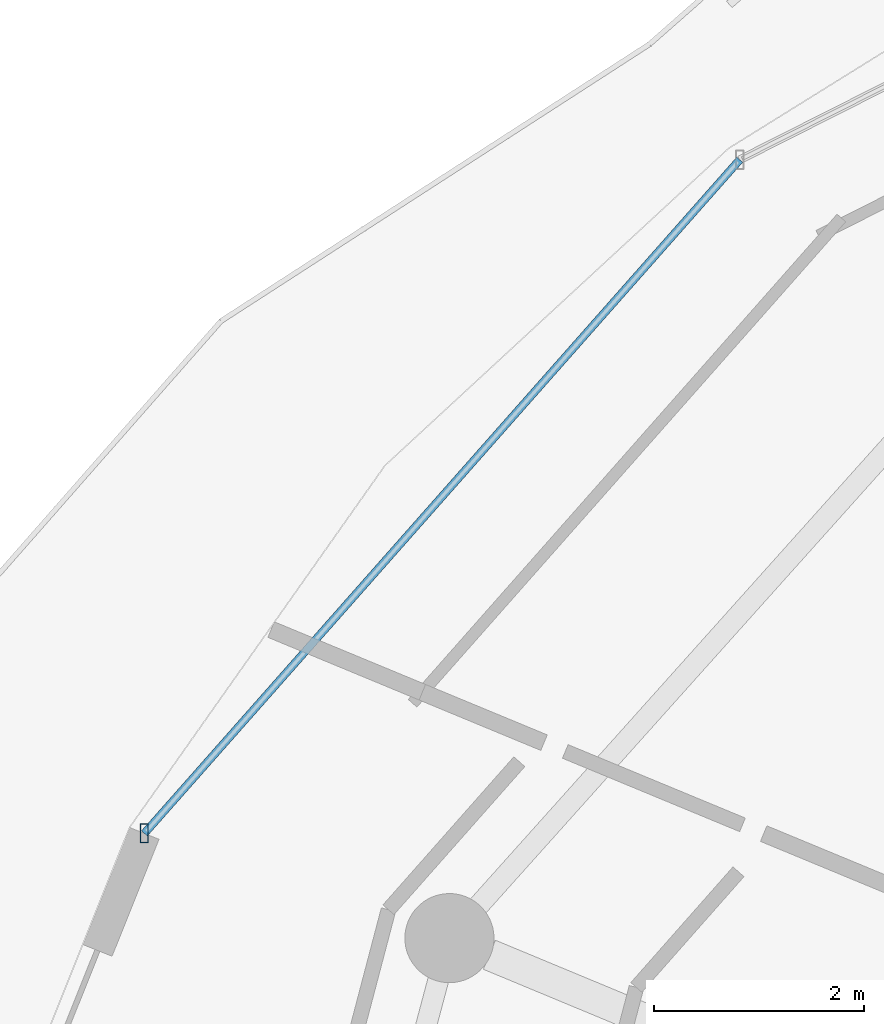
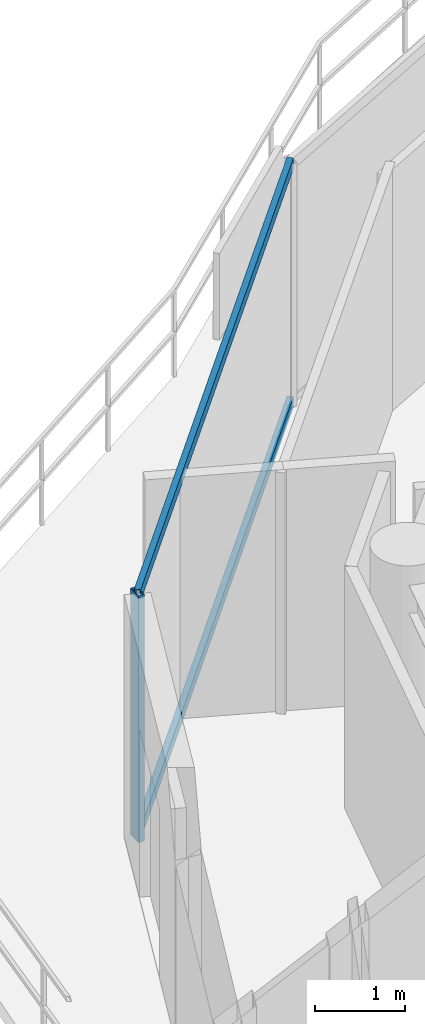
# One storey, part 8 of 30: 3 members, 1 element without a shape of its own.
"""IFC4 building model written with IfcOpenShell, lengths in metres."""

from ifc_helpers import new_model, si_unit, direction, frame, origin, origin_2d, place, context, subcontext, project, spatial, hollow_rectangle, extrude, material, material_profile, profile_set, type_object, element, aggregate, save


model = new_model("IFC4")

# Units and contexts
model_context = context("Model", 3, precision=1e-05, world=origin(), true_north=direction((0.0, 1.0)))
body_context = subcontext(model_context, "Body", "Model", "MODEL_VIEW")
ifc_project = project(units=[si_unit("LENGTHUNIT", "METRE"), si_unit("AREAUNIT", "SQUARE_METRE"), si_unit("VOLUMEUNIT", "CUBIC_METRE"), si_unit("PLANEANGLEUNIT", "RADIAN"), si_unit("MASSUNIT", "GRAM", prefix="KILO")], contexts=[model_context])

# Site, building, storey
site_placement = place(None, origin())
site = spatial("IfcSite", under=ifc_project, at=site_placement, CompositionType="ELEMENT")
building_placement = place(site_placement, origin())
building = spatial("IfcBuilding", under=site, at=building_placement, Name="Vorneva Point Tower", CompositionType="ELEMENT")
storey_placement = place(building_placement, frame((0.0, 0.0, 241.35009765625)))
storey = spatial("IfcBuildingStorey", under=building, at=storey_placement, Name="L65", CompositionType="ELEMENT", Elevation=241.35009765625)

# Curtain wall, members
ifc_material = material(Name="Pale anodised aluminium", Category="aluminium")
curtain_wall_type = type_object("IfcCurtainWallType", Name="CW-RES-SYS", PredefinedType="NOTDEFINED", material=ifc_material)
curtain_wall_placement = place(storey_placement, origin())
curtain_wall = element("IfcCurtainWall", 1, at=curtain_wall_placement, inside=storey, type_object=curtain_wall_type, Name="L65 Unitised Curtain Wall CW-L65-R02", PredefinedType="NOTDEFINED")
ifc_material_profile_1 = material_profile(ifc_material, hollow_rectangle(XDim=0.074951171875, YDim=0.179931640625, WallThickness=0.00390625, at=origin_2d()), Name="AL-MUL 180x75x4")
ifc_profile_set_1 = profile_set([ifc_material_profile_1], Name="Pale anodised aluminium")
member_type_1 = type_object("IfcMemberType", Name="CW-MUL-180", PredefinedType="MULLION", material=ifc_profile_set_1)
member_1_placement = place(storey_placement, frame((13.79443359375, 33.5810546875, -0.0400390625), z_axis=(0.0, 0.0, 1.0), x_axis=(1.0, 0.0, 0.0)))
member_1 = element("IfcMember", 2, at=member_1_placement, type_object=member_type_1, Name="CW-L65-R02 Mullion 06", PredefinedType="MULLION", context=body_context, shape_type="SweptSolid", body=[
    extrude(hollow_rectangle(XDim=0.074951171875, YDim=0.179931640625, WallThickness=0.00390625, at=origin_2d()), origin(), (0.0, 0.0, 1.0), 3.35986328125),
])
ifc_material_profile_2 = material_profile(ifc_material, hollow_rectangle(XDim=0.074951171875, YDim=0.14990234375, WallThickness=0.00390625, at=origin_2d()), Name="AL-TRN 150x75x4")
ifc_profile_set_2 = profile_set([ifc_material_profile_2], Name="Pale anodised aluminium")
member_type_2 = type_object("IfcMemberType", Name="CW-TRN-150", PredefinedType="USERDEFINED", material=ifc_profile_set_2)
member_2_placement = place(storey_placement, frame((19.473876953125, 40.0078125, 0.02001953125), z_axis=(-0.662196681357, -0.74933007093, 0.0), x_axis=(0.74933007093, -0.662196681357, 0.0)))
member_2 = element("IfcMember", 3, at=member_2_placement, type_object=member_type_2, Name="CW-L65-R02 Transom 05.1", ObjectType="TRANSOM", PredefinedType="USERDEFINED", context=body_context, shape_type="SweptSolid", body=[
    extrude(hollow_rectangle(XDim=0.074951171875, YDim=0.14990234375, WallThickness=0.00390625, at=origin_2d()), origin(), (0.0, 0.0, 1.0), 8.57666015625),
])
member_3_placement = place(storey_placement, frame((19.473876953125, 40.0078125, 3.27001953125), z_axis=(-0.662196681357, -0.74933007093, 0.0), x_axis=(0.74933007093, -0.662196681357, 0.0)))
member_3 = element("IfcMember", 4, at=member_3_placement, type_object=member_type_2, Name="CW-L65-R02 Transom 05.2", ObjectType="TRANSOM", PredefinedType="USERDEFINED", context=body_context, shape_type="SweptSolid", body=[
    extrude(hollow_rectangle(XDim=0.074951171875, YDim=0.14990234375, WallThickness=0.00390625, at=origin_2d()), origin(), (0.0, 0.0, 1.0), 8.57666015625),
])
aggregate(curtain_wall, [member_1, member_2, member_3])

save(model, "model.ifc")
